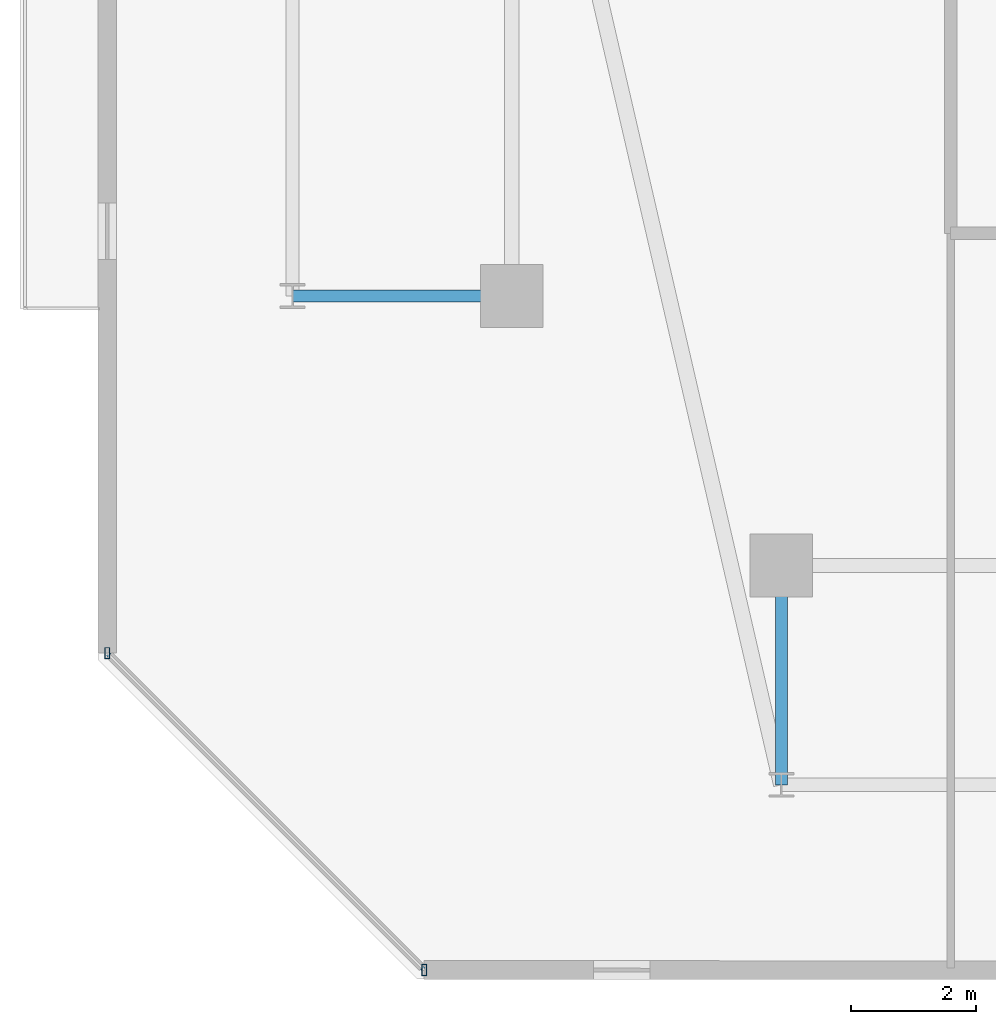
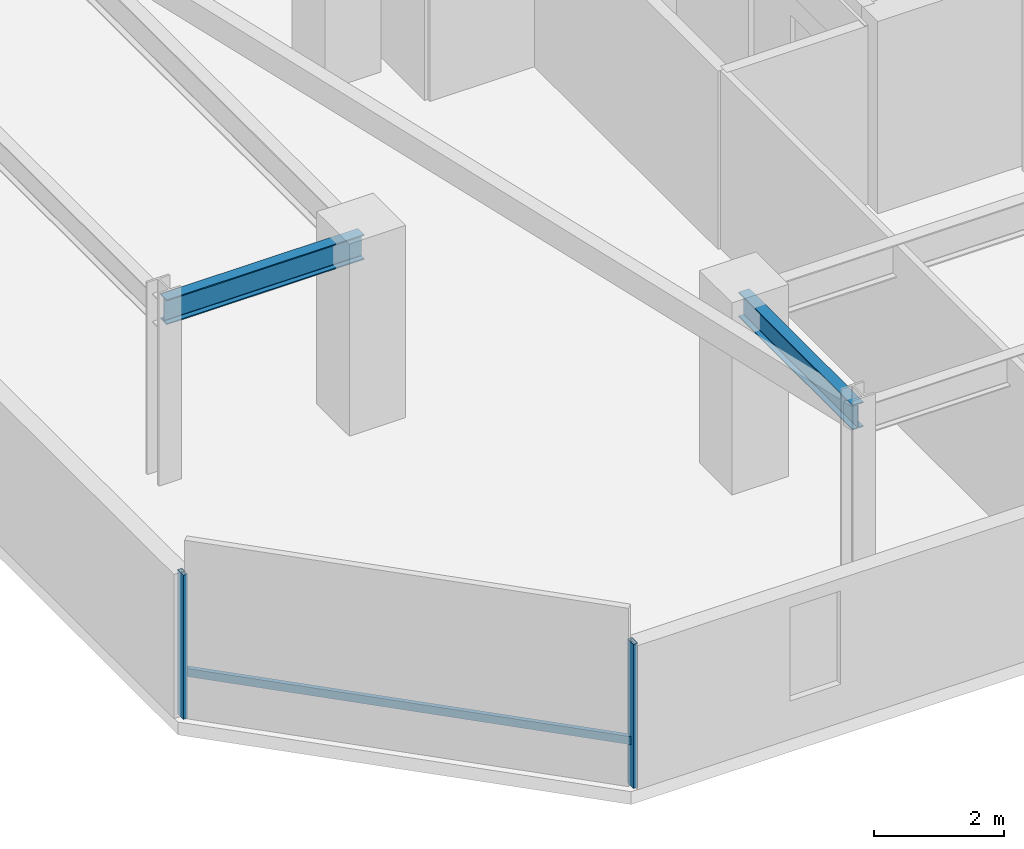
# One storey, part 3 of 32: 3 members, 2 beams, 1 element without a shape of its own.
"""IFC4 building model written with IfcOpenShell, lengths in metres."""

from ifc_helpers import new_model, si_unit, direction, frame, origin, origin_2d, place, context, subcontext, project, spatial, hollow_rectangle, i_section, extrude, material, material_profile, profile_set, type_object, element, aggregate, save


model = new_model("IFC4")

# Units and contexts
model_context = context("Model", 3, precision=1e-05, world=origin(), true_north=direction((0.0, 1.0)))
body_context = subcontext(model_context, "Body", "Model", "MODEL_VIEW")
ifc_project = project(units=[si_unit("LENGTHUNIT", "METRE"), si_unit("AREAUNIT", "SQUARE_METRE"), si_unit("VOLUMEUNIT", "CUBIC_METRE"), si_unit("PLANEANGLEUNIT", "RADIAN"), si_unit("MASSUNIT", "GRAM", prefix="KILO")], contexts=[model_context])

# Site, building, storey
site_placement = place(None, origin())
site = spatial("IfcSite", under=ifc_project, at=site_placement, CompositionType="ELEMENT")
building_placement = place(site_placement, origin())
building = spatial("IfcBuilding", under=site, at=building_placement, Name="Thornwick Lancets Civic Towers", CompositionType="ELEMENT")
storey_placement = place(building_placement, frame((0.0, 0.0, 243.89990234375)))
storey = spatial("IfcBuildingStorey", under=building, at=storey_placement, Name="L65", CompositionType="ELEMENT", Elevation=243.89990234375)

# Beams
ifc_material_1 = material(Name="Steel S355JR", Category="steel")
ifc_material_profile_1 = material_profile(ifc_material_1, i_section(OverallWidth=0.19287109375, OverallDepth=0.46728515625, WebThickness=0.011474609375, FlangeThickness=0.01953125, FilletRadius=0.01025390625, at=origin_2d()), Name="UKB 457x191x98")
ifc_profile_set_1 = profile_set([ifc_material_profile_1], Name="Steel S355JR")
beam_type = type_object("IfcBeamType", Name="BM_JOIST_457_98", PredefinedType="JOIST", material=ifc_profile_set_1)
for number, where, z_axis, x_axis, name in (
    (1, (12.5, 9.699951171875, 3.12646484375), (0.0, -1.0, 0.0), (1.0, 0.0, 0.0), "BM-RAD-L65-A01"),
    (2, (8.199951171875, 14.0, 3.12646484375), (-1.0, 0.0, 0.0), (0.0, -1.0, 0.0), "BM-RAD-L65-A10"),
):
    element("IfcBeam", number, at=place(storey_placement, frame(where, z_axis=z_axis, x_axis=x_axis)), inside=storey, type_object=beam_type, Name=name, PredefinedType="JOIST", context=body_context, shape_type="SweptSolid", body=[
        extrude(i_section(OverallWidth=0.19287109375, OverallDepth=0.46728515625, WebThickness=0.011474609375, FlangeThickness=0.01953125, FilletRadius=0.01025390625, at=origin_2d()), origin(), (0.0, 0.0, 1.0), 3.5),
    ])

# Curtain wall, members
ifc_material_2 = material(Name="High-zone chamfered-corner unitised glass curtain wall", Category="glass")
curtain_wall_type = type_object("IfcCurtainWallType", Name="CW_SYS_05", PredefinedType="NOTDEFINED", material=ifc_material_2)
curtain_wall_placement = place(storey_placement, origin())
curtain_wall = element("IfcCurtainWall", 3, at=curtain_wall_placement, inside=storey, type_object=curtain_wall_type, Name="L65 Curtain Wall CW-L65-A-E7", PredefinedType="NOTDEFINED")
ifc_material_3 = material(Name="Thermally broken bronze aluminium S355", Category="steel")
ifc_material_profile_2 = material_profile(ifc_material_3, hollow_rectangle(XDim=0.074951171875, YDim=0.179931640625, WallThickness=0.006103515625, at=origin_2d()), Name="RHS 180x75x6")
ifc_profile_set_2 = profile_set([ifc_material_profile_2], Name="Thermally broken bronze aluminium S355")
member_type_1 = type_object("IfcMemberType", Name="CW_MUL_180", PredefinedType="MULLION", material=ifc_profile_set_2)
member_1_placement = place(storey_placement, frame((1.74365234375, 8.300537109375, 0.0), z_axis=(0.0, 0.0, 1.0), x_axis=(1.0, 0.0, 0.0)))
member_1 = element("IfcMember", 4, at=member_1_placement, type_object=member_type_1, Name="CW-L65-A-E7 Mullion 0", PredefinedType="MULLION", context=body_context, shape_type="SweptSolid", body=[
    extrude(hollow_rectangle(XDim=0.074951171875, YDim=0.179931640625, WallThickness=0.006103515625, at=origin_2d()), origin(), (0.0, 0.0, 1.0), 2.7001953125),
])
member_2_placement = place(storey_placement, frame((6.800537109375, 3.24365234375, 0.0), z_axis=(0.0, 0.0, 1.0), x_axis=(1.0, 0.0, 0.0)))
member_2 = element("IfcMember", 5, at=member_2_placement, type_object=member_type_1, Name="CW-L65-A-E7 Mullion 1", PredefinedType="MULLION", context=body_context, shape_type="SweptSolid", body=[
    extrude(hollow_rectangle(XDim=0.074951171875, YDim=0.179931640625, WallThickness=0.006103515625, at=origin_2d()), origin(), (0.0, 0.0, 1.0), 2.7001953125),
])
ifc_material_profile_3 = material_profile(ifc_material_3, hollow_rectangle(XDim=0.074951171875, YDim=0.14990234375, WallThickness=0.0048828125, at=origin_2d()), Name="RHS 150x75x5")
ifc_profile_set_3 = profile_set([ifc_material_profile_3], Name="Thermally broken bronze aluminium S355")
member_type_2 = type_object("IfcMemberType", Name="CW_TRN_150", PredefinedType="USERDEFINED", material=ifc_profile_set_3)
member_3_placement = place(storey_placement, frame((1.7578125, 8.28662109375, 0.85009765625), z_axis=(0.707106781187, -0.707106781187, 0.0), x_axis=(0.707106781187, 0.707106781187, 0.0)))
member_3 = element("IfcMember", 6, at=member_3_placement, type_object=member_type_2, Name="CW-L65-A-E7 Transom 0", ObjectType="TRANSOM", PredefinedType="USERDEFINED", context=body_context, shape_type="SweptSolid", body=[
    extrude(hollow_rectangle(XDim=0.074951171875, YDim=0.14990234375, WallThickness=0.0048828125, at=origin_2d()), origin(), (0.0, 0.0, 1.0), 7.11181640625),
])
aggregate(curtain_wall, [member_1, member_2, member_3])

save(model, "model.ifc")
